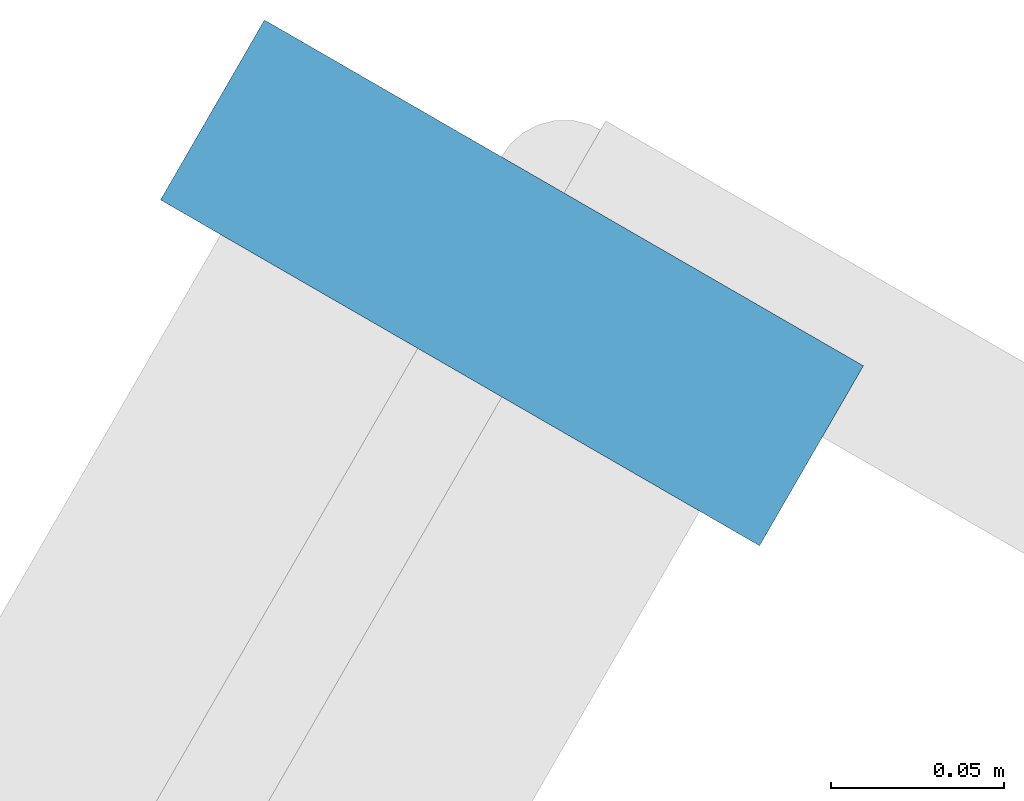
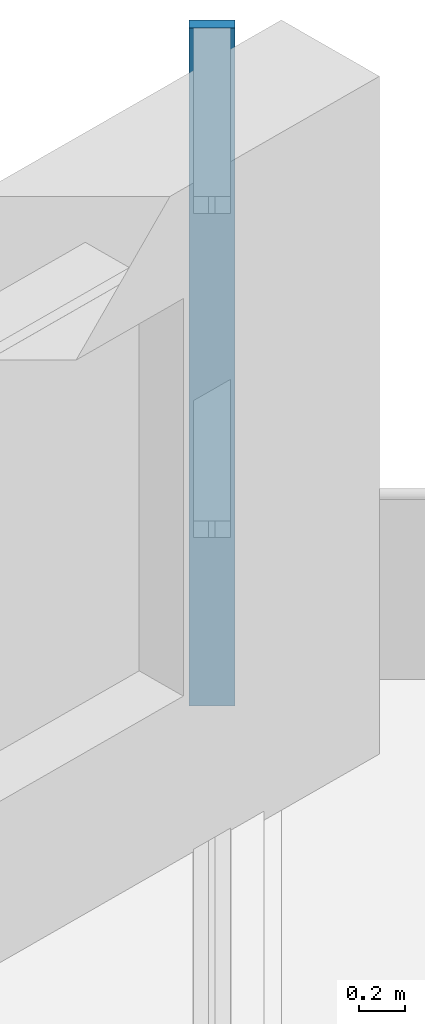
# One storey, part 4 of 13: 1 member, 1 element without a shape of its own.
"""IFC4 building model written with IfcOpenShell, lengths in metres."""

from ifc_helpers import new_model, si_unit, direction, frame, origin, origin_2d, place, context, subcontext, project, spatial, rectangle, extrude, material, material_profile, profile_set, type_object, element, aggregate, save


model = new_model("IFC4")

# Units and contexts
model_context = context("Model", 3, precision=1e-05, world=origin(), true_north=direction((0.0, 1.0)))
body_context = subcontext(model_context, "Body", "Model", "MODEL_VIEW")
ifc_project = project(units=[si_unit("LENGTHUNIT", "METRE"), si_unit("AREAUNIT", "SQUARE_METRE"), si_unit("VOLUMEUNIT", "CUBIC_METRE"), si_unit("PLANEANGLEUNIT", "RADIAN"), si_unit("MASSUNIT", "GRAM", prefix="KILO")], contexts=[model_context])

# Site, building, storey
site_placement = place(None, origin())
site = spatial("IfcSite", under=ifc_project, at=site_placement, CompositionType="ELEMENT")
building_placement = place(site_placement, origin())
building = spatial("IfcBuilding", under=site, at=building_placement, Name="Dilmun Exchange Tower", CompositionType="ELEMENT")
storey_placement = place(building_placement, frame((0.0, 0.0, 86.10009765625)))
storey = spatial("IfcBuildingStorey", under=building, at=storey_placement, Name="L19", CompositionType="ELEMENT", Elevation=86.10009765625)

# Curtain wall, member
ifc_material_1 = material(Name="Anodised aluminium and clear glass", Category="aluminium")
curtain_wall_type = type_object("IfcCurtainWallType", Name="Garden corner glazing", PredefinedType="NOTDEFINED", material=ifc_material_1)
curtain_wall_placement = place(storey_placement, origin())
curtain_wall = element("IfcCurtainWall", 1, at=curtain_wall_placement, inside=storey, type_object=curtain_wall_type, Name="Garden corner glazing run GC3.1", PredefinedType="NOTDEFINED")
ifc_material_2 = material(Name="Anodised aluminium", Category="aluminium")
ifc_material_profile = material_profile(ifc_material_2, rectangle(XDim=0.199951171875, YDim=0.06005859375, at=origin_2d()), Name="AL 60x200")
ifc_profile_set = profile_set([ifc_material_profile], Name="Anodised aluminium")
member_type = type_object("IfcMemberType", Name="Garden corner glazing mullion 60 x 200", PredefinedType="MULLION", material=ifc_profile_set)
member_placement = place(storey_placement, frame((16.143310546875, 33.510986328125, 0.0), z_axis=(0.0, 0.0, 1.0), x_axis=(-0.866027761828, 0.499995915726, 0.0)))
member = element("IfcMember", 2, at=member_placement, type_object=member_type, Name="GC3.1 mullion 2", PredefinedType="MULLION", context=body_context, shape_type="SweptSolid", body=[
    extrude(rectangle(XDim=0.199951171875, YDim=0.06005859375, at=origin_2d()), origin(), (0.0, 0.0, 1.0), 3.579833984375),
])
aggregate(curtain_wall, [member])

save(model, "model.ifc")
